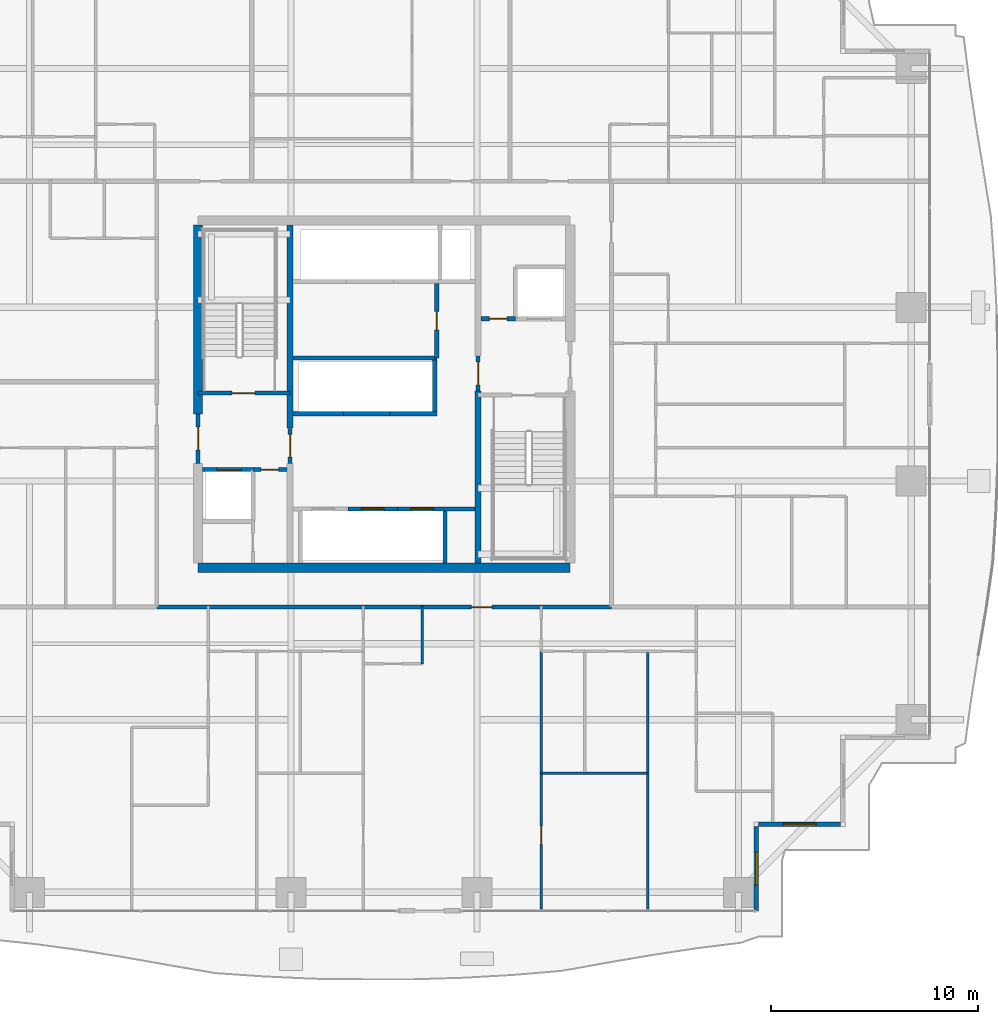
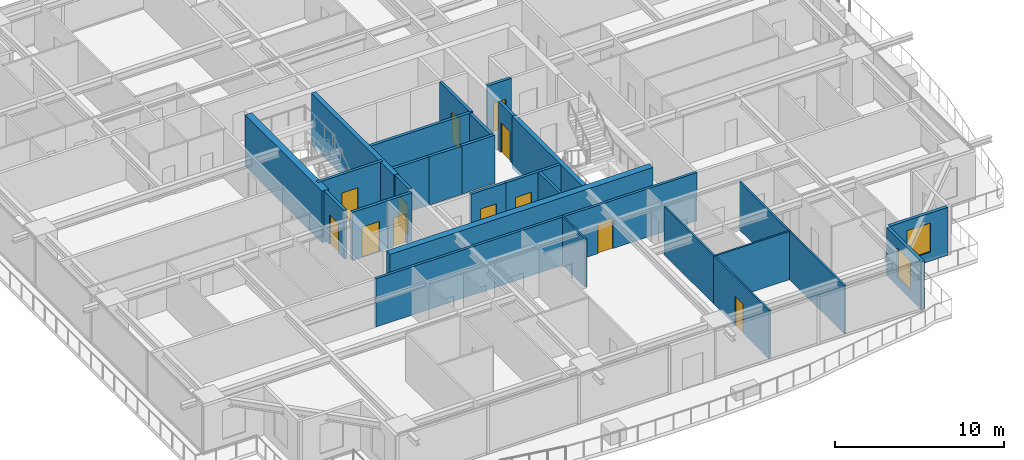
# One storey, part 28 of 39: 28 walls, 12 doors, 2 windows, 14 openings.
"""IFC4 building model written with IfcOpenShell, lengths in metres."""

from ifc_helpers import new_model, si_unit, direction, frame, frame_2d, origin, place, context, subcontext, project, spatial, rectangle, extrude, source, transform, mapped, material, layer, layer_set, type_object, element, fill, save


model = new_model("IFC4")

# Units and contexts
model_context = context("Model", 3, precision=1e-05, world=origin(), true_north=direction((0.0, 1.0)))
body_context = subcontext(model_context, "Body", "Model", "MODEL_VIEW")
ifc_project = project(units=[si_unit("LENGTHUNIT", "METRE"), si_unit("AREAUNIT", "SQUARE_METRE"), si_unit("VOLUMEUNIT", "CUBIC_METRE"), si_unit("PLANEANGLEUNIT", "RADIAN"), si_unit("MASSUNIT", "GRAM", prefix="KILO")], contexts=[model_context])

# Site, building, storey
site_placement = place(None, origin())
site = spatial("IfcSite", under=ifc_project, at=site_placement, CompositionType="ELEMENT")
building_placement = place(site_placement, origin())
building = spatial("IfcBuilding", under=site, at=building_placement, Name="Serunith Strait Residences", CompositionType="ELEMENT")
storey_placement = place(building_placement, frame((0.0, 0.0, 49.199951171875)))
storey = spatial("IfcBuildingStorey", under=building, at=storey_placement, Name="L11", CompositionType="ELEMENT", Elevation=49.199951171875)

# Wall, opening, window
ifc_material_1 = material(Name="Pale-Champagne Aluminium Insulated Panel", Category="aluminium")
ifc_layer_1 = layer(ifc_material_1, 0.219970703125, Name="Pale-Champagne Aluminium Insulated Panel")
ifc_layer_set_1 = layer_set([ifc_layer_1], Name="Pale-Champagne Aluminium Insulated Panel")
wall_type_1 = type_object("IfcWallType", Name="EW-ALUM-220", PredefinedType="ELEMENTEDWALL", material=ifc_layer_set_1)
wall_1_placement = place(storey_placement, frame((50.39990234375, 0.199951171875, 0.0), z_axis=(0.0, 0.0, 1.0), x_axis=(0.0, 1.0, 0.0)))
wall_1 = element("IfcWall", 1, at=wall_1_placement, inside=storey, type_object=wall_type_1, Name="L11 Girih Serrated Corner Wall 02", PredefinedType="ELEMENTEDWALL", context=body_context, shape_type="SweptSolid", body=[
    extrude(rectangle(XDim=4.090087890625, YDim=0.219970703125, at=frame_2d((2.044921875, 0.0))), origin(), (0.0, 0.0, 1.0), 3.47509765625),
])
opening_1_placement = place(wall_1_placement, frame((1.2451171875, 0.0, 0.64990234375)))
opening_1 = element("IfcOpeningElement", 2, at=opening_1_placement, cuts=wall_1, Name="Opening W-02", PredefinedType="OPENING", context=body_context, shape_type="SweptSolid", body=[
    extrude(rectangle(XDim=1.60009765625, YDim=2.10009765625, at=frame_2d((0.800048828125, 1.050048828125))), frame((0.0, 0.1201171875, 0.0), z_axis=(0.0, -1.0, 0.0), x_axis=(1.0, 0.0, 0.0)), (0.0, 0.0, 1.0), 0.239990234375),
])
ifc_material_2 = material(Name="Ceramic-Fritted Operable Aluminium Window Glass", Category="aluminium")
window_type = type_object("IfcWindowType", Name="WIN-C2", PartitioningType="DOUBLE_PANEL_VERTICAL", PredefinedType="WINDOW", material=ifc_material_2)
shared_shape_1 = source(origin(), body_context, "Body", "SweptSolid", [
    extrude(rectangle(XDim=1.60009765625, YDim=2.10009765625, at=frame_2d((0.800048828125, 1.050048828125))), frame((0.0, 0.030029296875, 0.0), z_axis=(0.0, -1.0, 0.0), x_axis=(1.0, 0.0, 0.0)), (0.0, 0.0, 1.0), 0.06005859375),
])
window_1_placement = place(opening_1_placement, origin())
window_1 = element("IfcWindow", 3, at=window_1_placement, inside=storey, type_object=window_type, Name="L11 Corner Operable Fritted Window 02", OverallHeight=2.10009765625, OverallWidth=1.60009765625, PartitioningType="SINGLE_PANEL", PredefinedType="WINDOW", context=body_context, shape_type="MappedRepresentation", body=[
    mapped(shared_shape_1, transform((0.0, 0.0, 0.0), scale=1.0)),
])
fill(opening_1, window_1)

wall_2_placement = place(storey_placement, frame((50.510009765625, 4.39990234375, 0.0), z_axis=(0.0, 0.0, 1.0), x_axis=(1.0, 0.0, 0.0)))
wall_2 = element("IfcWall", 4, at=wall_2_placement, inside=storey, type_object=wall_type_1, Name="L11 Girih Serrated Corner Wall 03", PredefinedType="ELEMENTEDWALL", context=body_context, shape_type="SweptSolid", body=[
    extrude(rectangle(XDim=3.97998046875, YDim=0.219970703125, at=frame_2d((1.989990234375, 0.0))), origin(), (0.0, 0.0, 1.0), 3.47509765625),
])
opening_2_placement = place(wall_2_placement, frame((1.18994140625, 0.0, 0.64990234375)))
opening_2 = element("IfcOpeningElement", 5, at=opening_2_placement, cuts=wall_2, Name="Opening W-02", PredefinedType="OPENING", context=body_context, shape_type="SweptSolid", body=[
    extrude(rectangle(XDim=1.60009765625, YDim=2.10009765625, at=frame_2d((0.800048828125, 1.050048828125))), frame((0.0, 0.1201171875, 0.0), z_axis=(0.0, -1.0, 0.0), x_axis=(1.0, 0.0, 0.0)), (0.0, 0.0, 1.0), 0.239990234375),
])
window_2_placement = place(opening_2_placement, origin())
window_2 = element("IfcWindow", 6, at=window_2_placement, inside=storey, type_object=window_type, Name="L11 Corner Operable Fritted Window 03", OverallHeight=2.10009765625, OverallWidth=1.60009765625, PartitioningType="SINGLE_PANEL", PredefinedType="WINDOW", context=body_context, shape_type="MappedRepresentation", body=[
    mapped(shared_shape_1, transform((0.0, 0.0, 0.0), scale=1.0)),
])
fill(opening_2, window_2)

# Wall, opening, door
ifc_material_3 = material(Name="Fire-rated acoustic gypsum partition")
ifc_layer_2 = layer(ifc_material_3, 0.179931640625, Name="Fire-rated acoustic gypsum partition")
ifc_layer_set_2 = layer_set([ifc_layer_2], Name="Fire-rated acoustic gypsum partition")
wall_type_2 = type_object("IfcWallType", Name="IW-CORR-180", PredefinedType="PARTITIONING", material=ifc_layer_set_2)
wall_3_placement = place(storey_placement, frame((21.402099609375, 14.89990234375, 0.0), z_axis=(0.0, 0.0, 1.0), x_axis=(1.0, 0.0, 0.0)))
wall_3 = element("IfcWall", 7, at=wall_3_placement, inside=storey, type_object=wall_type_2, Name="L11 Partition Wall 021", PredefinedType="PARTITIONING", context=body_context, shape_type="SweptSolid", body=[
    extrude(rectangle(XDim=21.995849609375, YDim=0.179931640625, at=frame_2d((10.998046875, 0.0))), origin(), (0.0, 0.0, 1.0), 3.489990234375),
])
opening_3_placement = place(wall_3_placement, frame((15.221923828125, 0.0, 0.0)))
opening_3 = element("IfcOpeningElement", 8, at=opening_3_placement, cuts=wall_3, Name="Opening D-APT1000", PredefinedType="OPENING", context=body_context, shape_type="SweptSolid", body=[
    extrude(rectangle(XDim=1.0, YDim=2.14990234375, at=frame_2d((0.5, 1.074951171875))), frame((0.0, 0.10009765625, 0.0), z_axis=(0.0, -1.0, 0.0), x_axis=(1.0, 0.0, 0.0)), (0.0, 0.0, 1.0), 0.199951171875),
])
ifc_material_4 = material(Name="Solid timber engineered fire door", Category="wood")
door_type_1 = type_object("IfcDoorType", Name="ID-APT-1000", OperationType="NOTDEFINED", PredefinedType="DOOR", material=ifc_material_4)
shared_shape_2 = source(origin(), body_context, "Body", "SweptSolid", [
    extrude(rectangle(XDim=1.0, YDim=2.14990234375, at=frame_2d((0.5, 1.074951171875))), frame((0.0, 0.02490234375, 0.0), z_axis=(0.0, -1.0, 0.0), x_axis=(1.0, 0.0, 0.0)), (0.0, 0.0, 1.0), 0.050048828125),
])
door_1_placement = place(opening_3_placement, origin())
door_1 = element("IfcDoor", 9, at=door_1_placement, inside=storey, type_object=door_type_1, Name="L11 Unit 01 Entrance Door", OperationType="SINGLE_SWING_RIGHT", OverallHeight=2.14990234375, OverallWidth=1.0, PredefinedType="DOOR", context=body_context, shape_type="MappedRepresentation", body=[
    mapped(shared_shape_2, transform((0.0, 0.0, 0.0), scale=1.0)),
])
fill(opening_3, door_1)

# Wall
ifc_material_5 = material(Name="Lightweight steel-stud gypsum partition", Category="steel")
ifc_layer_3 = layer(ifc_material_5, 0.1201171875, Name="Lightweight steel-stud gypsum partition")
ifc_layer_set_3 = layer_set([ifc_layer_3], Name="Lightweight steel-stud gypsum partition")
wall_type_3 = type_object("IfcWallType", Name="IW-PART-120", PredefinedType="PARTITIONING", material=ifc_layer_set_3)
wall_4_placement = place(storey_placement, frame((34.25, 12.14990234375, 0.0), z_axis=(0.0, 0.0, 1.0), x_axis=(0.0, 1.0, 0.0)))
element("IfcWall", 10, at=wall_4_placement, inside=storey, type_object=wall_type_3, Name="L11 Partition Wall 026", PredefinedType="PARTITIONING", context=body_context, shape_type="SweptSolid", body=[
    extrude(rectangle(XDim=2.81005859375, YDim=0.1201171875, at=frame_2d((1.405029296875, 0.0))), origin(), (0.0, 0.0, 1.0), 3.489990234375),
])

# Wall, opening, door
wall_5_placement = place(storey_placement, frame((40.0, 0.294921875, 0.0), z_axis=(0.0, 0.0, 1.0), x_axis=(0.0, 1.0, 0.0)))
wall_5 = element("IfcWall", 11, at=wall_5_placement, inside=storey, type_object=wall_type_3, Name="L11 Partition Wall 043", PredefinedType="PARTITIONING", context=body_context, shape_type="SweptSolid", body=[
    extrude(rectangle(XDim=6.565185546875, YDim=0.1201171875, at=frame_2d((3.28271484375, 0.0))), origin(), (0.0, 0.0, 1.0), 3.489990234375),
])
opening_4_placement = place(wall_5_placement, frame((3.115966796875, 0.0, 0.0)))
opening_4 = element("IfcOpeningElement", 12, at=opening_4_placement, cuts=wall_5, Name="Opening D-RM900", PredefinedType="OPENING", context=body_context, shape_type="SweptSolid", body=[
    extrude(rectangle(XDim=0.89990234375, YDim=2.10009765625, at=frame_2d((0.449951171875, 1.050048828125))), frame((0.0, 0.070068359375, 0.0), z_axis=(0.0, -1.0, 0.0), x_axis=(1.0, 0.0, 0.0)), (0.0, 0.0, 1.0), 0.14013671875),
])
ifc_material_6 = material(Name="Engineered timber flush bedroom door", Category="wood")
door_type_2 = type_object("IfcDoorType", Name="ID-ROOM-900", OperationType="NOTDEFINED", PredefinedType="DOOR", material=ifc_material_6)
shared_shape_3 = source(origin(), body_context, "Body", "SweptSolid", [
    extrude(rectangle(XDim=0.89990234375, YDim=2.10009765625, at=frame_2d((0.449951171875, 1.050048828125))), frame((0.0, 0.02490234375, 0.0), z_axis=(0.0, -1.0, 0.0), x_axis=(1.0, 0.0, 0.0)), (0.0, 0.0, 1.0), 0.050048828125),
])
door_2_placement = place(opening_4_placement, origin())
door_2 = element("IfcDoor", 13, at=door_2_placement, inside=storey, type_object=door_type_2, Name="L11 Formal Dining Room 3 1101 Door", OperationType="SINGLE_SWING_RIGHT", OverallHeight=2.10009765625, OverallWidth=0.89990234375, PredefinedType="DOOR", context=body_context, shape_type="MappedRepresentation", body=[
    mapped(shared_shape_3, transform((0.0, 0.0, 0.0), scale=1.0)),
])
fill(opening_4, door_2)

# Walls
wall_6_placement = place(storey_placement, frame((40.0, 6.862060546875, 0.0), z_axis=(0.0, 0.0, 1.0), x_axis=(0.0, 1.0, 0.0)))
element("IfcWall", 14, at=wall_6_placement, inside=storey, type_object=wall_type_3, Name="L11 Partition Wall 044", PredefinedType="PARTITIONING", context=body_context, shape_type="SweptSolid", body=[
    extrude(rectangle(XDim=5.885986328125, YDim=0.1201171875, at=frame_2d((2.94287109375, 0.0))), origin(), (0.0, 0.0, 1.0), 3.489990234375),
])
wall_7_placement = place(storey_placement, frame((40.0, 6.860107421875, 0.0), z_axis=(0.0, 0.0, 1.0), x_axis=(1.0, 0.0, 0.0)))
element("IfcWall", 15, at=wall_7_placement, inside=storey, type_object=wall_type_3, Name="L11 Partition Wall 045", PredefinedType="PARTITIONING", context=body_context, shape_type="SweptSolid", body=[
    extrude(rectangle(XDim=5.14990234375, YDim=0.1201171875, at=frame_2d((2.574951171875, 0.0))), origin(), (0.0, 0.0, 1.0), 3.489990234375),
])
wall_8_placement = place(storey_placement, frame((45.14990234375, 0.294921875, 0.0), z_axis=(0.0, 0.0, 1.0), x_axis=(0.0, 1.0, 0.0)))
element("IfcWall", 16, at=wall_8_placement, inside=storey, type_object=wall_type_3, Name="L11 Partition Wall 046", PredefinedType="PARTITIONING", context=body_context, shape_type="SweptSolid", body=[
    extrude(rectangle(XDim=12.455078125, YDim=0.1201171875, at=frame_2d((6.2275390625, 0.0))), origin(), (0.0, 0.0, 1.0), 3.489990234375),
])

# Wall, opening, door
ifc_material_7 = material(Name="Autoclaved aerated concrete blockwork", Category="masonry")
ifc_layer_4 = layer(ifc_material_7, 0.199951171875, Name="Autoclaved aerated concrete blockwork")
ifc_layer_set_4 = layer_set([ifc_layer_4], Name="Autoclaved aerated concrete blockwork")
wall_type_4 = type_object("IfcWallType", Name="IW-SHAFT-200", PredefinedType="STANDARD", material=ifc_layer_set_4)
wall_9_placement = place(storey_placement, frame((23.39990234375, 25.25, 0.0), z_axis=(0.0, 0.0, 1.0), x_axis=(1.0, 0.0, 0.0)))
wall_9 = element("IfcWall", 17, at=wall_9_placement, inside=storey, type_object=wall_type_4, Name="L11 ST-1 South Shaft Wall", PredefinedType="STANDARD", context=body_context, shape_type="SweptSolid", body=[
    extrude(rectangle(XDim=4.4501953125, YDim=0.199951171875, at=frame_2d((2.22509765625, 0.0))), origin(), (0.0, 0.0, 1.0), 3.489990234375),
])
opening_5_placement = place(wall_9_placement, frame((1.64990234375, 0.0, 0.0)))
opening_5 = element("IfcOpeningElement", 18, at=opening_5_placement, cuts=wall_9, Name="Opening FD-1100", PredefinedType="OPENING", context=body_context, shape_type="SweptSolid", body=[
    extrude(rectangle(XDim=1.10009765625, YDim=2.14990234375, at=frame_2d((0.550048828125, 1.074951171875))), frame((0.0, 0.10986328125, 0.0), z_axis=(0.0, -1.0, 0.0), x_axis=(1.0, 0.0, 0.0)), (0.0, 0.0, 1.0), 0.219970703125),
])
ifc_material_8 = material(Name="Galvanised steel fire door leaf", Category="steel")
door_type_3 = type_object("IfcDoorType", Name="FD-STAIR-1100", OperationType="NOTDEFINED", PredefinedType="DOOR", material=ifc_material_8)
shared_shape_4 = source(origin(), body_context, "Body", "SweptSolid", [
    extrude(rectangle(XDim=1.10009765625, YDim=2.14990234375, at=frame_2d((0.550048828125, 1.074951171875))), frame((0.0, 0.02490234375, 0.0), z_axis=(0.0, -1.0, 0.0), x_axis=(1.0, 0.0, 0.0)), (0.0, 0.0, 1.0), 0.050048828125),
])
door_3_placement = place(opening_5_placement, origin())
door_3 = element("IfcDoor", 19, at=door_3_placement, inside=storey, type_object=door_type_3, Name="L11 ST-1 Escape Stair Door", OperationType="SINGLE_SWING_LEFT", OverallHeight=2.14990234375, OverallWidth=1.10009765625, PredefinedType="DOOR", context=body_context, shape_type="MappedRepresentation", body=[
    mapped(shared_shape_4, transform((0.0, 0.0, 0.0), scale=1.0)),
])
fill(opening_5, door_3)

wall_10_placement = place(storey_placement, frame((23.625, 21.550048828125, 0.0), z_axis=(0.0, 0.0, 1.0), x_axis=(1.0, 0.0, 0.0)))
wall_10 = element("IfcWall", 20, at=wall_10_placement, inside=storey, type_object=wall_type_4, Name="L11 FL-1 North Shaft Wall", PredefinedType="STANDARD", context=body_context, shape_type="SweptSolid", body=[
    extrude(rectangle(XDim=2.425048828125, YDim=0.199951171875, at=frame_2d((1.21240234375, 0.0))), origin(), (0.0, 0.0, 1.0), 3.489990234375),
])
opening_6_placement = place(wall_10_placement, frame((0.675048828125, 0.0, 0.0)))
opening_6 = element("IfcOpeningElement", 21, at=opening_6_placement, cuts=wall_10, Name="Opening LD-FF1200", PredefinedType="OPENING", context=body_context, shape_type="SweptSolid", body=[
    extrude(rectangle(XDim=1.199951171875, YDim=2.199951171875, at=frame_2d((0.60009765625, 1.10009765625))), frame((0.0, 0.10986328125, 0.0), z_axis=(0.0, -1.0, 0.0), x_axis=(1.0, 0.0, 0.0)), (0.0, 0.0, 1.0), 0.219970703125),
])
ifc_material_9 = material(Name="Brushed stainless steel landing door", Category="steel")
door_type_4 = type_object("IfcDoorType", Name="LD-FF-1200", OperationType="DOUBLE_DOOR_SLIDING", PredefinedType="DOOR", material=ifc_material_9)
shared_shape_5 = source(origin(), body_context, "Body", "SweptSolid", [
    extrude(rectangle(XDim=1.199951171875, YDim=2.199951171875, at=frame_2d((0.60009765625, 1.10009765625))), frame((0.0, 0.02490234375, 0.0), z_axis=(0.0, -1.0, 0.0), x_axis=(1.0, 0.0, 0.0)), (0.0, 0.0, 1.0), 0.050048828125),
])
door_4_placement = place(opening_6_placement, origin())
door_4 = element("IfcDoor", 22, at=door_4_placement, inside=storey, type_object=door_type_4, Name="L11 FL-1 Landing Door", OperationType="DOUBLE_DOOR_SLIDING", OverallHeight=2.199951171875, OverallWidth=1.199951171875, PredefinedType="DOOR", context=body_context, shape_type="MappedRepresentation", body=[
    mapped(shared_shape_5, transform((0.0, 0.0, 0.0), scale=1.0)),
])
fill(opening_6, door_4)

wall_11_placement = place(storey_placement, frame((30.64990234375, 19.64990234375, 0.0), z_axis=(0.0, 0.0, 1.0), x_axis=(1.0, 0.0, 0.0)))
wall_11 = element("IfcWall", 23, at=wall_11_placement, inside=storey, type_object=wall_type_4, Name="L11 PL-2 North Shaft Wall", PredefinedType="STANDARD", context=body_context, shape_type="SweptSolid", body=[
    extrude(rectangle(XDim=2.400146484375, YDim=0.199951171875, at=frame_2d((1.2001953125, 0.0))), origin(), (0.0, 0.0, 1.0), 3.489990234375),
])
opening_7_placement = place(wall_11_placement, frame((0.64990234375, 0.0, 0.0)))
opening_7 = element("IfcOpeningElement", 24, at=opening_7_placement, cuts=wall_11, Name="Opening LD-1100", PredefinedType="OPENING", context=body_context, shape_type="SweptSolid", body=[
    extrude(rectangle(XDim=1.10009765625, YDim=2.199951171875, at=frame_2d((0.550048828125, 1.10009765625))), frame((0.0, 0.10986328125, 0.0), z_axis=(0.0, -1.0, 0.0), x_axis=(1.0, 0.0, 0.0)), (0.0, 0.0, 1.0), 0.219970703125),
])
ifc_material_10 = material(Name="Pale-champagne stainless landing door")
door_type_5 = type_object("IfcDoorType", Name="LD-LIFT-1100", OperationType="DOUBLE_DOOR_SLIDING", PredefinedType="DOOR", material=ifc_material_10)
shared_shape_6 = source(origin(), body_context, "Body", "SweptSolid", [
    extrude(rectangle(XDim=1.10009765625, YDim=2.199951171875, at=frame_2d((0.550048828125, 1.10009765625))), frame((0.0, 0.02490234375, 0.0), z_axis=(0.0, -1.0, 0.0), x_axis=(1.0, 0.0, 0.0)), (0.0, 0.0, 1.0), 0.050048828125),
])
door_5_placement = place(opening_7_placement, origin())
door_5 = element("IfcDoor", 25, at=door_5_placement, inside=storey, type_object=door_type_5, Name="L11 PL-2 Landing Door", OperationType="DOUBLE_DOOR_SLIDING", OverallHeight=2.199951171875, OverallWidth=1.10009765625, PredefinedType="DOOR", context=body_context, shape_type="MappedRepresentation", body=[
    mapped(shared_shape_6, transform((0.0, 0.0, 0.0), scale=1.0)),
])
fill(opening_7, door_5)

wall_12_placement = place(storey_placement, frame((33.050048828125, 19.64990234375, 0.0), z_axis=(0.0, 0.0, 1.0), x_axis=(1.0, 0.0, 0.0)))
wall_12 = element("IfcWall", 26, at=wall_12_placement, inside=storey, type_object=wall_type_4, Name="L11 PL-3 North Shaft Wall", PredefinedType="STANDARD", context=body_context, shape_type="SweptSolid", body=[
    extrude(rectangle(XDim=3.75, YDim=0.199951171875, at=frame_2d((1.875, 0.0))), origin(), (0.0, 0.0, 1.0), 3.489990234375),
])
opening_8_placement = place(wall_12_placement, frame((0.64990234375, 0.0, 0.0)))
opening_8 = element("IfcOpeningElement", 27, at=opening_8_placement, cuts=wall_12, Name="Opening LD-1100", PredefinedType="OPENING", context=body_context, shape_type="SweptSolid", body=[
    extrude(rectangle(XDim=1.10009765625, YDim=2.199951171875, at=frame_2d((0.550048828125, 1.10009765625))), frame((0.0, 0.10986328125, 0.0), z_axis=(0.0, -1.0, 0.0), x_axis=(1.0, 0.0, 0.0)), (0.0, 0.0, 1.0), 0.219970703125),
])
door_6_placement = place(opening_8_placement, origin())
door_6 = element("IfcDoor", 28, at=door_6_placement, inside=storey, type_object=door_type_5, Name="L11 PL-3 Landing Door", OperationType="DOUBLE_DOOR_SLIDING", OverallHeight=2.199951171875, OverallWidth=1.10009765625, PredefinedType="DOOR", context=body_context, shape_type="MappedRepresentation", body=[
    mapped(shared_shape_6, transform((0.0, 0.0, 0.0), scale=1.0)),
])
fill(opening_8, door_6)

# Walls
wall_13_placement = place(storey_placement, frame((35.35009765625, 17.02490234375, 0.0), z_axis=(0.0, 0.0, 1.0), x_axis=(0.0, 1.0, 0.0)))
element("IfcWall", 29, at=wall_13_placement, inside=storey, type_object=wall_type_4, Name="L11 PL-3 East Shaft Wall", PredefinedType="STANDARD", context=body_context, shape_type="SweptSolid", body=[
    extrude(rectangle(XDim=2.525146484375, YDim=0.199951171875, at=frame_2d((1.2626953125, 0.0))), origin(), (0.0, 0.0, 1.0), 3.489990234375),
])
wall_14_placement = place(storey_placement, frame((28.0, 24.25, 0.0), z_axis=(0.0, 0.0, 1.0), x_axis=(1.0, 0.0, 0.0)))
element("IfcWall", 30, at=wall_14_placement, inside=storey, type_object=wall_type_4, Name="L11 PL-4 South Shaft Wall", PredefinedType="STANDARD", context=body_context, shape_type="SweptSolid", body=[
    extrude(rectangle(XDim=2.425048828125, YDim=0.199951171875, at=frame_2d((1.21240234375, 0.0))), origin(), (0.0, 0.0, 1.0), 3.489990234375),
])
wall_15_placement = place(storey_placement, frame((30.425048828125, 24.25, 0.0), z_axis=(0.0, 0.0, 1.0), x_axis=(1.0, 0.0, 0.0)))
element("IfcWall", 31, at=wall_15_placement, inside=storey, type_object=wall_type_4, Name="L11 PL-5 South Shaft Wall", PredefinedType="STANDARD", context=body_context, shape_type="SweptSolid", body=[
    extrude(rectangle(XDim=2.25, YDim=0.199951171875, at=frame_2d((1.125, 0.0))), origin(), (0.0, 0.0, 1.0), 3.489990234375),
])
wall_16_placement = place(storey_placement, frame((32.675048828125, 24.25, 0.0), z_axis=(0.0, 0.0, 1.0), x_axis=(1.0, 0.0, 0.0)))
element("IfcWall", 32, at=wall_16_placement, inside=storey, type_object=wall_type_4, Name="L11 PL-6 South Shaft Wall", PredefinedType="STANDARD", context=body_context, shape_type="SweptSolid", body=[
    extrude(rectangle(XDim=2.27490234375, YDim=0.199951171875, at=frame_2d((1.137451171875, 0.0))), origin(), (0.0, 0.0, 1.0), 3.489990234375),
])
wall_17_placement = place(storey_placement, frame((34.85009765625, 24.35009765625, 0.0), z_axis=(0.0, 0.0, 1.0), x_axis=(0.0, 1.0, 0.0)))
element("IfcWall", 33, at=wall_17_placement, inside=storey, type_object=wall_type_4, Name="L11 PL-6 East Shaft Wall", PredefinedType="STANDARD", context=body_context, shape_type="SweptSolid", body=[
    extrude(rectangle(XDim=2.5, YDim=0.199951171875, at=frame_2d((1.25, 0.0))), origin(), (0.0, 0.0, 1.0), 3.489990234375),
])

# Wall, opening, door
wall_18_placement = place(storey_placement, frame((26.052001953125, 21.550048828125, 0.0), z_axis=(0.0, 0.0, 1.0), x_axis=(1.0, 0.0, 0.0)))
wall_18 = element("IfcWall", 34, at=wall_18_placement, inside=storey, type_object=wall_type_4, Name="L11 Partition Wall 003", PredefinedType="STANDARD", context=body_context, shape_type="SweptSolid", body=[
    extrude(rectangle(XDim=1.64794921875, YDim=0.199951171875, at=frame_2d((0.823974609375, 0.0))), origin(), (0.0, 0.0, 1.0), 3.489990234375),
])
opening_9_placement = place(wall_18_placement, frame((0.39892578125, 0.0, 0.0)))
opening_9 = element("IfcOpeningElement", 35, at=opening_9_placement, cuts=wall_18, Name="Opening FD-850", PredefinedType="OPENING", context=body_context, shape_type="SweptSolid", body=[
    extrude(rectangle(XDim=0.85009765625, YDim=2.10009765625, at=frame_2d((0.425048828125, 1.050048828125))), frame((0.0, 0.10986328125, 0.0), z_axis=(0.0, -1.0, 0.0), x_axis=(1.0, 0.0, 0.0)), (0.0, 0.0, 1.0), 0.219970703125),
])
ifc_material_11 = material(Name="Powder-coated steel service closet door", Category="steel")
door_type_6 = type_object("IfcDoorType", Name="FD-BOH-850", OperationType="NOTDEFINED", PredefinedType="DOOR", material=ifc_material_11)
shared_shape_7 = source(origin(), body_context, "Body", "SweptSolid", [
    extrude(rectangle(XDim=0.85009765625, YDim=2.10009765625, at=frame_2d((0.425048828125, 1.050048828125))), frame((0.0, 0.02490234375, 0.0), z_axis=(0.0, -1.0, 0.0), x_axis=(1.0, 0.0, 0.0)), (0.0, 0.0, 1.0), 0.050048828125),
])
door_7_placement = place(opening_9_placement, origin())
door_7 = element("IfcDoor", 36, at=door_7_placement, inside=storey, type_object=door_type_6, Name="L11 South-West Core Service Door", OperationType="SINGLE_SWING_RIGHT", OverallHeight=2.10009765625, OverallWidth=0.85009765625, PredefinedType="DOOR", context=body_context, shape_type="MappedRepresentation", body=[
    mapped(shared_shape_7, transform((0.0, 0.0, 0.0), scale=1.0)),
])
fill(opening_9, door_7)

wall_19_placement = place(storey_placement, frame((37.10009765625, 28.85009765625, 0.0), z_axis=(0.0, 0.0, 1.0), x_axis=(1.0, 0.0, 0.0)))
wall_19 = element("IfcWall", 37, at=wall_19_placement, inside=storey, type_object=wall_type_4, Name="L11 Partition Wall 006", PredefinedType="STANDARD", context=body_context, shape_type="SweptSolid", body=[
    extrude(rectangle(XDim=1.64794921875, YDim=0.199951171875, at=frame_2d((0.823974609375, 0.0))), origin(), (0.0, 0.0, 1.0), 3.489990234375),
])
opening_10_placement = place(wall_19_placement, frame((0.39892578125, 0.0, 0.0)))
opening_10 = element("IfcOpeningElement", 38, at=opening_10_placement, cuts=wall_19, Name="Opening FD-850", PredefinedType="OPENING", context=body_context, shape_type="SweptSolid", body=[
    extrude(rectangle(XDim=0.85009765625, YDim=2.10009765625, at=frame_2d((0.425048828125, 1.050048828125))), frame((0.0, 0.10986328125, 0.0), z_axis=(0.0, -1.0, 0.0), x_axis=(1.0, 0.0, 0.0)), (0.0, 0.0, 1.0), 0.219970703125),
])
door_8_placement = place(opening_10_placement, origin())
door_8 = element("IfcDoor", 39, at=door_8_placement, inside=storey, type_object=door_type_6, Name="L11 North-East Core Service Door", OperationType="SINGLE_SWING_LEFT", OverallHeight=2.10009765625, OverallWidth=0.85009765625, PredefinedType="DOOR", context=body_context, shape_type="MappedRepresentation", body=[
    mapped(shared_shape_7, transform((0.0, 0.0, 0.0), scale=1.0)),
])
fill(opening_10, door_8)

wall_20_placement = place(storey_placement, frame((23.39990234375, 21.85205078125, 0.0), z_axis=(0.0, 0.0, 1.0), x_axis=(0.0, 1.0, 0.0)))
wall_20 = element("IfcWall", 40, at=wall_20_placement, inside=storey, type_object=wall_type_4, Name="L11 Partition Wall 007", PredefinedType="STANDARD", context=body_context, shape_type="SweptSolid", body=[
    extrude(rectangle(XDim=2.39599609375, YDim=0.199951171875, at=frame_2d((1.197998046875, 0.0))), origin(), (0.0, 0.0, 1.0), 3.489990234375),
])
opening_11_placement = place(wall_20_placement, frame((0.64794921875, 0.0, 0.0)))
opening_11 = element("IfcOpeningElement", 41, at=opening_11_placement, cuts=wall_20, Name="Opening FD-FFL", PredefinedType="OPENING", context=body_context, shape_type="SweptSolid", body=[
    extrude(rectangle(XDim=1.10009765625, YDim=2.14990234375, at=frame_2d((0.550048828125, 1.074951171875))), frame((0.0, 0.10986328125, 0.0), z_axis=(0.0, -1.0, 0.0), x_axis=(1.0, 0.0, 0.0)), (0.0, 0.0, 1.0), 0.219970703125),
])
ifc_material_12 = material(Name="Glazed steel smoke-lobby fire door", Category="steel")
door_type_7 = type_object("IfcDoorType", Name="FD-FFL-1100", OperationType="NOTDEFINED", PredefinedType="DOOR", material=ifc_material_12)
door_9_placement = place(opening_11_placement, origin())
door_9 = element("IfcDoor", 42, at=door_9_placement, inside=storey, type_object=door_type_7, Name="L11 FFL-1 Corridor Fire Door", OperationType="SINGLE_SWING_RIGHT", OverallHeight=2.14990234375, OverallWidth=1.10009765625, PredefinedType="DOOR", context=body_context, shape_type="MappedRepresentation", body=[
    mapped(shared_shape_4, transform((0.0, 0.0, 0.0), scale=1.0)),
])
fill(opening_11, door_9)

wall_21_placement = place(storey_placement, frame((27.85009765625, 21.85205078125, 0.0), z_axis=(0.0, 0.0, 1.0), x_axis=(0.0, 1.0, 0.0)))
wall_21 = element("IfcWall", 43, at=wall_21_placement, inside=storey, type_object=wall_type_4, Name="L11 Partition Wall 009", PredefinedType="STANDARD", context=body_context, shape_type="SweptSolid", body=[
    extrude(rectangle(XDim=1.696044921875, YDim=0.199951171875, at=frame_2d((0.84814453125, 0.0))), origin(), (0.0, 0.0, 1.0), 3.489990234375),
])
opening_12_placement = place(wall_21_placement, frame((0.298095703125, 0.0, 0.0)))
opening_12 = element("IfcOpeningElement", 44, at=opening_12_placement, cuts=wall_21, Name="Opening FD-FFL", PredefinedType="OPENING", context=body_context, shape_type="SweptSolid", body=[
    extrude(rectangle(XDim=1.10009765625, YDim=2.14990234375, at=frame_2d((0.550048828125, 1.074951171875))), frame((0.0, 0.10986328125, 0.0), z_axis=(0.0, -1.0, 0.0), x_axis=(1.0, 0.0, 0.0)), (0.0, 0.0, 1.0), 0.219970703125),
])
door_10_placement = place(opening_12_placement, origin())
door_10 = element("IfcDoor", 45, at=door_10_placement, inside=storey, type_object=door_type_7, Name="L11 FFL-1 Lift Lobby Door", OperationType="SINGLE_SWING_RIGHT", OverallHeight=2.14990234375, OverallWidth=1.10009765625, PredefinedType="DOOR", context=body_context, shape_type="MappedRepresentation", body=[
    mapped(shared_shape_4, transform((0.0, 0.0, 0.0), scale=1.0)),
])
fill(opening_12, door_10)

wall_22_placement = place(storey_placement, frame((36.949951171875, 25.35205078125, 0.0), z_axis=(0.0, 0.0, 1.0), x_axis=(0.0, 1.0, 0.0)))
wall_22 = element("IfcWall", 46, at=wall_22_placement, inside=storey, type_object=wall_type_4, Name="L11 Partition Wall 010", PredefinedType="STANDARD", context=body_context, shape_type="SweptSolid", body=[
    extrude(rectangle(XDim=1.696044921875, YDim=0.199951171875, at=frame_2d((0.84814453125, 0.0))), origin(), (0.0, 0.0, 1.0), 3.489990234375),
])
opening_13_placement = place(wall_22_placement, frame((0.298095703125, 0.0, 0.0)))
opening_13 = element("IfcOpeningElement", 47, at=opening_13_placement, cuts=wall_22, Name="Opening FD-FFL", PredefinedType="OPENING", context=body_context, shape_type="SweptSolid", body=[
    extrude(rectangle(XDim=1.10009765625, YDim=2.14990234375, at=frame_2d((0.550048828125, 1.074951171875))), frame((0.0, 0.10986328125, 0.0), z_axis=(0.0, -1.0, 0.0), x_axis=(1.0, 0.0, 0.0)), (0.0, 0.0, 1.0), 0.219970703125),
])
door_11_placement = place(opening_13_placement, origin())
door_11 = element("IfcDoor", 48, at=door_11_placement, inside=storey, type_object=door_type_7, Name="L11 FFL-2 Lift Lobby Door", OperationType="SINGLE_SWING_LEFT", OverallHeight=2.14990234375, OverallWidth=1.10009765625, PredefinedType="DOOR", context=body_context, shape_type="MappedRepresentation", body=[
    mapped(shared_shape_4, transform((0.0, 0.0, 0.0), scale=1.0)),
])
fill(opening_13, door_11)

# Wall
wall_23_placement = place(storey_placement, frame((28.0, 26.949951171875, 0.0), z_axis=(0.0, 0.0, 1.0), x_axis=(1.0, 0.0, 0.0)))
element("IfcWall", 49, at=wall_23_placement, inside=storey, type_object=wall_type_4, Name="L11 Partition Wall 011", PredefinedType="STANDARD", context=body_context, shape_type="SweptSolid", body=[
    extrude(rectangle(XDim=6.949951171875, YDim=0.199951171875, at=frame_2d((3.47509765625, 0.0))), origin(), (0.0, 0.0, 1.0), 3.489990234375),
])

# Wall, opening, door
wall_24_placement = place(storey_placement, frame((34.949951171875, 26.949951171875, 0.0), z_axis=(0.0, 0.0, 1.0), x_axis=(0.0, 1.0, 0.0)))
wall_24 = element("IfcWall", 50, at=wall_24_placement, inside=storey, type_object=wall_type_4, Name="L11 Partition Wall 013", PredefinedType="STANDARD", context=body_context, shape_type="SweptSolid", body=[
    extrude(rectangle(XDim=3.60009765625, YDim=0.199951171875, at=frame_2d((1.800048828125, 0.0))), origin(), (0.0, 0.0, 1.0), 3.489990234375),
])
opening_14_placement = place(wall_24_placement, frame((1.35009765625, 0.0, 0.0)))
opening_14 = element("IfcOpeningElement", 51, at=opening_14_placement, cuts=wall_24, Name="Opening FD-900", PredefinedType="OPENING", context=body_context, shape_type="SweptSolid", body=[
    extrude(rectangle(XDim=0.89990234375, YDim=2.10009765625, at=frame_2d((0.449951171875, 1.050048828125))), frame((0.0, 0.10986328125, 0.0), z_axis=(0.0, -1.0, 0.0), x_axis=(1.0, 0.0, 0.0)), (0.0, 0.0, 1.0), 0.219970703125),
])
ifc_material_13 = material(Name="Powder-coated steel riser door", Category="steel")
door_type_8 = type_object("IfcDoorType", Name="FD-BOH-900", OperationType="NOTDEFINED", PredefinedType="DOOR", material=ifc_material_13)
door_12_placement = place(opening_14_placement, origin())
door_12 = element("IfcDoor", 52, at=door_12_placement, inside=storey, type_object=door_type_8, Name="L11 Core Switchroom Door", OperationType="SINGLE_SWING_LEFT", OverallHeight=2.10009765625, OverallWidth=0.89990234375, PredefinedType="DOOR", context=body_context, shape_type="MappedRepresentation", body=[
    mapped(shared_shape_3, transform((0.0, 0.0, 0.0), scale=1.0)),
])
fill(opening_14, door_12)

# Walls
ifc_material_14 = material(Name="Concrete C80/95", Category="concrete")
ifc_layer_5 = layer(ifc_material_14, 0.300048828125, Name="Concrete C80/95")
ifc_layer_set_5 = layer_set([ifc_layer_5], Name="Concrete C80/95")
wall_type_5 = type_object("IfcWallType", Name="SW-300-C80", PredefinedType="SHEAR", material=ifc_layer_set_5)
wall_25_placement = place(storey_placement, frame((27.85009765625, 23.550048828125, -0.260009765625), z_axis=(0.0, 0.0, 1.0), x_axis=(0.0, 1.0, 0.0)))
element("IfcWall", 53, at=wall_25_placement, inside=storey, type_object=wall_type_5, Name="L11 Core Internal West Web North Pier", PredefinedType="SHEAR", context=body_context, shape_type="SweptSolid", body=[
    extrude(rectangle(XDim=9.824951171875, YDim=0.300048828125, at=frame_2d((4.91259765625, 0.0))), origin(), (0.0, 0.0, 1.0), 3.748046875),
])
wall_26_placement = place(storey_placement, frame((36.949951171875, 17.02490234375, -0.260009765625), z_axis=(0.0, 0.0, 1.0), x_axis=(0.0, 1.0, 0.0)))
element("IfcWall", 54, at=wall_26_placement, inside=storey, type_object=wall_type_5, Name="L11 Core Internal East Web South Pier", PredefinedType="SHEAR", context=body_context, shape_type="SweptSolid", body=[
    extrude(rectangle(XDim=8.3251953125, YDim=0.300048828125, at=frame_2d((4.16259765625, 0.0))), origin(), (0.0, 0.0, 1.0), 3.748046875),
])
ifc_layer_6 = layer(ifc_material_14, 0.449951171875, Name="Concrete C80/95")
ifc_layer_set_6 = layer_set([ifc_layer_6], Name="Concrete C80/95")
wall_type_6 = type_object("IfcWallType", Name="SW-450-C80", PredefinedType="SHEAR", material=ifc_layer_set_6)
wall_27_placement = place(storey_placement, frame((23.39990234375, 16.800048828125, -0.260009765625), z_axis=(0.0, 0.0, 1.0), x_axis=(1.0, 0.0, 0.0)))
element("IfcWall", 55, at=wall_27_placement, inside=storey, type_object=wall_type_6, Name="L11 Core South Shear Wall", PredefinedType="SHEAR", context=body_context, shape_type="SweptSolid", body=[
    extrude(rectangle(XDim=18.0, YDim=0.449951171875, at=frame_2d((9.0, 0.0))), origin(), (0.0, 0.0, 1.0), 3.748046875),
])
wall_28_placement = place(storey_placement, frame((23.39990234375, 24.25, -0.260009765625), z_axis=(0.0, 0.0, 1.0), x_axis=(0.0, 1.0, 0.0)))
element("IfcWall", 56, at=wall_28_placement, inside=storey, type_object=wall_type_6, Name="L11 Core West Shear Wall North Pier", PredefinedType="SHEAR", context=body_context, shape_type="SweptSolid", body=[
    extrude(rectangle(XDim=9.125, YDim=0.449951171875, at=frame_2d((4.5625, 0.0))), origin(), (0.0, 0.0, 1.0), 3.748046875),
])

save(model, "model.ifc")
